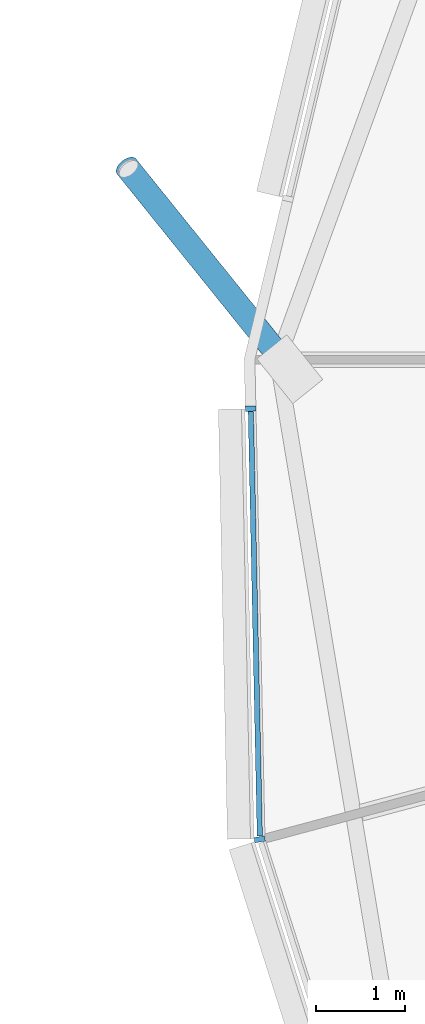
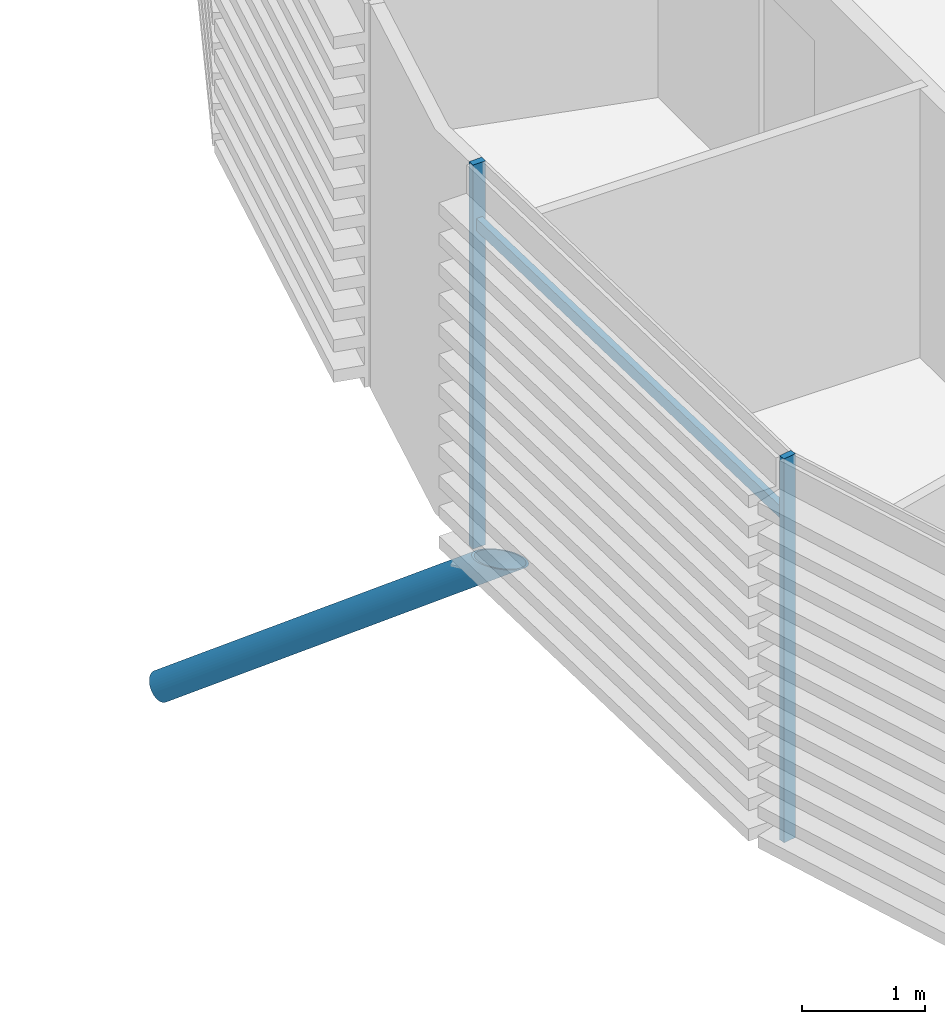
# One storey, part 8 of 36: 4 members, 1 element without a shape of its own.
"""IFC4 building model written with IfcOpenShell, lengths in metres."""

import ifcopenshell
import ifcopenshell.guid

model = None  # the IFC model being written
_history = None  # IfcOwnerHistory: only IFC2X3 demands one
_inside = {}  # id of a spatial element -> (the spatial element, [elements in it])
_under = {}  # id of a project, library or spatial element -> (it, [spatial elements below it])
_declared = {}  # id of a project -> (the project, [libraries it declares])
_typed = {}  # id of a type object -> (the type object, [elements of that type])
_made_of = {}  # id of a material, layer set ... -> (it, [elements and type objects made of it])


def new_model(schema):
    """Start an empty IFC model of exactly this schema.

    Asked for "IFC4X3", IfcOpenShell would pick the latest addendum, in which some entities
    have other attributes; the version numbers below select the first issue.
    IFC2X3 requires an IfcOwnerHistory on every rooted entity: one is made here for all.
    """
    global model, _history
    if schema == "IFC4X3":
        model = ifcopenshell.file(schema_version=(4, 3, 0, 0))
    else:
        model = ifcopenshell.file(schema=schema)
    _inside.clear()
    _under.clear()
    _declared.clear()
    _typed.clear()
    _made_of.clear()
    _history = None
    if model.schema == "IFC2X3":
        org = make("IfcOrganization", Name="unknown")
        user = make(
            "IfcPersonAndOrganization",
            ThePerson=make("IfcPerson", FamilyName="unknown"),
            TheOrganization=org,
        )
        app = make(
            "IfcApplication",
            ApplicationDeveloper=org,
            Version="unknown",
            ApplicationFullName="unknown",
            ApplicationIdentifier="unknown",
        )
        _history = make(
            "IfcOwnerHistory",
            OwningUser=user,
            OwningApplication=app,
            ChangeAction="ADDED",
            CreationDate=0,
        )
    return model


def make(cls, **values):
    """One entity of the class cls with the attributes given. An attribute that is None is left unset."""
    return model.create_entity(
        cls, **{name: value for name, value in values.items() if value is not None}
    )


def rooted(cls, **values):
    """An entity with a GlobalId (a new one), such as an element, a storey or a relation."""
    return make(cls, GlobalId=ifcopenshell.guid.new(), OwnerHistory=_history, **values)


def si_unit(unit_type, name, prefix=None):
    """IfcSIUnit, for example si_unit("LENGTHUNIT", "METRE", prefix="MILLI")."""
    return make("IfcSIUnit", UnitType=unit_type, Prefix=prefix, Name=name)


def assignment(units):
    """IfcUnitAssignment: the units of a project."""
    return None if units is None else make("IfcUnitAssignment", Units=units)


def point(xyz):
    """IfcCartesianPoint."""
    return None if xyz is None else make("IfcCartesianPoint", Coordinates=xyz)


def direction(xyz):
    """IfcDirection."""
    return None if xyz is None else make("IfcDirection", DirectionRatios=xyz)


def frame(location, z_axis=None, x_axis=None):
    """IfcAxis2Placement3D, a coordinate frame: its origin and axes. An axis left out is left unset."""
    return make(
        "IfcAxis2Placement3D",
        Location=point(location),
        Axis=direction(z_axis),
        RefDirection=direction(x_axis),
    )


def frame_2d(location, x_axis=None):
    """IfcAxis2Placement2D, a coordinate frame in the plane: its origin and x axis."""
    return make(
        "IfcAxis2Placement2D", Location=point(location), RefDirection=direction(x_axis)
    )


def origin():
    """The frame at (0, 0, 0) with its axes left unset."""
    return frame((0.0, 0.0, 0.0))


def origin_2d():
    """The frame at (0, 0) in the plane with its x axis left unset."""
    return frame_2d((0.0, 0.0))


def place(relative_to, where):
    """IfcLocalPlacement: puts the frame where relative to a parent placement (None: the world)."""
    return make(
        "IfcLocalPlacement", PlacementRelTo=relative_to, RelativePlacement=where
    )


def context(
    kind, dimensions, precision=None, world=None, true_north=None, identifier=None
):
    """IfcGeometricRepresentationContext, for example the 3D "Model" context."""
    return make(
        "IfcGeometricRepresentationContext",
        ContextIdentifier=identifier,
        ContextType=kind,
        CoordinateSpaceDimension=dimensions,
        Precision=precision,
        WorldCoordinateSystem=world,
        TrueNorth=true_north,
    )


def subcontext(parent, identifier, kind, view, scale=None):
    """IfcGeometricRepresentationSubContext, for example "Body" below "Model"."""
    return make(
        "IfcGeometricRepresentationSubContext",
        ContextIdentifier=identifier,
        ContextType=kind,
        ParentContext=parent,
        TargetScale=scale,
        TargetView=view,
    )


def project(units=None, contexts=None):
    """IfcProject with its units and contexts."""
    return rooted(
        "IfcProject",
        Name="project",
        RepresentationContexts=contexts,
        UnitsInContext=assignment(units),
    )


def spatial(cls, under=None, at=None, **own):
    """A site, building, storey or space (cls), placed at a placement, below another one or the project."""
    s = rooted(cls, ObjectPlacement=at, **own)
    if under is not None:
        _under.setdefault(under.id(), (under, []))[1].append(s)
    return s


def profile(cls, at=None, kind="AREA", **sizes):
    """A parametric profile (cls). Its sizes go by their IFC names, for example OverallWidth=200.0."""
    return make(cls, ProfileType=kind, Position=at, **sizes)


def rectangle(**sizes):
    """IfcRectangleProfileDef."""
    return profile("IfcRectangleProfileDef", **sizes)


def hollow_circle(**sizes):
    """IfcCircleHollowProfileDef."""
    return profile("IfcCircleHollowProfileDef", **sizes)


def extrude(swept, where, along, depth):
    """IfcExtrudedAreaSolid: the profile swept, set in the frame where, extruded along a direction by depth."""
    return make(
        "IfcExtrudedAreaSolid",
        SweptArea=swept,
        Position=where,
        ExtrudedDirection=direction(along),
        Depth=depth,
    )


def clip(a, b, op="DIFFERENCE"):
    """IfcBooleanClippingResult: the solid a cut by the half space b."""
    return make(
        "IfcBooleanClippingResult", Operator=op, FirstOperand=a, SecondOperand=b
    )


def halfspace(plane, agree):
    """IfcHalfSpaceSolid: all space on one side of the plane z = 0 of the frame plane."""
    return make(
        "IfcHalfSpaceSolid",
        BaseSurface=make("IfcPlane", Position=plane),
        AgreementFlag=agree,
    )


def shape(context_of_items, identifier, shape_type, items):
    """IfcShapeRepresentation: the items that make up one representation, for example the "Body"."""
    return make(
        "IfcShapeRepresentation",
        ContextOfItems=context_of_items,
        RepresentationIdentifier=identifier,
        RepresentationType=shape_type,
        Items=items,
    )


def material(Name=None, Category=None):
    """IfcMaterial."""
    return make("IfcMaterial", Name=Name, Category=Category)


def material_profile(
    of_material, cross_section, Name=None, Category=None, Priority=None
):
    """IfcMaterialProfile: a cross section and its material."""
    return make(
        "IfcMaterialProfile",
        Name=Name,
        Material=of_material,
        Profile=cross_section,
        Priority=Priority,
        Category=Category,
    )


def profile_set(profiles, Name=None, composite=None):
    """IfcMaterialProfileSet."""
    return make(
        "IfcMaterialProfileSet",
        Name=Name,
        MaterialProfiles=profiles,
        CompositeProfile=composite,
    )


def made_of(thing, what):
    """Note that an element or type object is made of a material, layer set ...; save() writes the relation."""
    if what is not None:
        _made_of.setdefault(what.id(), (what, []))[1].append(thing)
    return thing


def type_object(cls, material=None, **own):
    """A type object (cls), such as IfcWallType, which elements share."""
    return made_of(rooted(cls, **own), material)


def element(
    cls,
    number,
    at=None,
    inside=None,
    cuts=None,
    type_object=None,
    material=None,
    context=None,
    identifier="Body",
    shape_type=None,
    held_by="IfcProductDefinitionShape",
    body=None,
    shapes=None,
    **own,
):
    """One element of the class cls, such as IfcWall. Its Tag is "e" and its number.

    at: its placement. inside: the storey or other place that contains it. cuts: it is an
    opening in that element (IfcRelVoidsElement). A single representation is given by context,
    identifier, shape_type and body (its items); several are given by shapes. held_by: the class
    of the entity that holds the representations. save() writes the other relations.
    """
    e = rooted(cls, Tag="e%d" % number, ObjectPlacement=at, **own)
    if body is not None:
        shapes = [shape(context, identifier, shape_type, body)]
    if shapes is not None:
        e.Representation = make(held_by, Representations=shapes)
    if inside is not None:
        _inside.setdefault(inside.id(), (inside, []))[1].append(e)
    if cuts is not None:
        rooted(
            "IfcRelVoidsElement", RelatingBuildingElement=cuts, RelatedOpeningElement=e
        )
    if type_object is not None:
        _typed.setdefault(type_object.id(), (type_object, []))[1].append(e)
    return made_of(e, material)


def aggregate(whole, parts):
    """IfcRelAggregates: a whole, such as a stair, and the parts it consists of."""
    return rooted("IfcRelAggregates", RelatingObject=whole, RelatedObjects=parts)


def save(model, path):
    """Write the relations noted so far, then the file.

    IfcRelAggregates (storeys below a building ...), IfcRelContainedInSpatialStructure (elements
    in a storey), IfcRelDefinesByType, IfcRelAssociatesMaterial and IfcRelDeclares: one each for
    every whole, place, type object, material and project.
    """
    for whole, parts in _under.values():
        aggregate(whole, parts)
    for where, things in _inside.values():
        rooted(
            "IfcRelContainedInSpatialStructure",
            RelatedElements=things,
            RelatingStructure=where,
        )
    for kind, things in _typed.values():
        rooted("IfcRelDefinesByType", RelatedObjects=things, RelatingType=kind)
    for what, things in _made_of.values():
        rooted("IfcRelAssociatesMaterial", RelatedObjects=things, RelatingMaterial=what)
    for by, libraries in _declared.values():
        rooted("IfcRelDeclares", RelatingContext=by, RelatedDefinitions=libraries)
    model.write(path)


model = new_model("IFC4")

# Units and contexts
model_context = context("Model", 3, precision=1e-05, world=origin(), true_north=direction((0.0, 1.0)))
body_context = subcontext(model_context, "Body", "Model", "MODEL_VIEW")
ifc_project = project(units=[si_unit("LENGTHUNIT", "METRE"), si_unit("AREAUNIT", "SQUARE_METRE"), si_unit("VOLUMEUNIT", "CUBIC_METRE"), si_unit("PLANEANGLEUNIT", "RADIAN"), si_unit("MASSUNIT", "GRAM", prefix="KILO")], contexts=[model_context])

# Site, building, storey
site_placement = place(None, origin())
site = spatial("IfcSite", under=ifc_project, at=site_placement, CompositionType="ELEMENT")
building_placement = place(site_placement, origin())
building = spatial("IfcBuilding", under=site, at=building_placement, Name="Rimbun Link Towers", CompositionType="ELEMENT")
storey_placement = place(building_placement, frame((0.0, 0.0, 200.699951171875)))
storey = spatial("IfcBuildingStorey", under=building, at=storey_placement, Name="L49", CompositionType="ELEMENT", Elevation=200.699951171875)

# Curtain wall, members
ifc_material_1 = material(Name="Aluminium 6063-T6 and low-iron glass", Category="aluminium")
curtain_wall_type = type_object("IfcCurtainWallType", Name="CW1-Z3 unitised vision wall (zone 3)", PredefinedType="NOTDEFINED", material=ifc_material_1)
curtain_wall_placement = place(storey_placement, origin())
curtain_wall = element("IfcCurtainWall", 1, at=curtain_wall_placement, inside=storey, type_object=curtain_wall_type, Name="CW1 L49 T2", PredefinedType="NOTDEFINED")
ifc_material_2 = material(Name="Aluminium 6063-T6", Category="aluminium")
ifc_material_profile_1 = material_profile(ifc_material_2, rectangle(XDim=0.1201171875, YDim=0.06005859375, at=origin_2d()), Name="MULLION 60X120")
ifc_profile_set_1 = profile_set([ifc_material_profile_1], Name="Aluminium 6063-T6")
member_type_1 = type_object("IfcMemberType", Name="CW1 mullion 60X120", PredefinedType="MULLION", material=ifc_profile_set_1)
member_1_placement = place(storey_placement, frame((11.5693359375, -5.4013671875, 0.0), z_axis=(0.0, 0.0, 1.0), x_axis=(-0.9865019168, -0.16374971191, 0.0)))
member_1 = element("IfcMember", 2, at=member_1_placement, type_object=member_type_1, Name="CW1 mullion", PredefinedType="MULLION", context=body_context, shape_type="SweptSolid", body=[
    extrude(rectangle(XDim=0.1201171875, YDim=0.06005859375, at=origin_2d()), origin(), (0.0, 0.0, 1.0), 3.800048828125),
])
member_2_placement = place(storey_placement, frame((11.466552734375, -0.551025390625, 0.0), z_axis=(0.0, 0.0, 1.0), x_axis=(-0.999778097154, -0.021065527565, 0.0)))
member_2 = element("IfcMember", 3, at=member_2_placement, type_object=member_type_1, Name="CW1 mullion", PredefinedType="MULLION", context=body_context, shape_type="SweptSolid", body=[
    extrude(rectangle(XDim=0.1201171875, YDim=0.06005859375, at=origin_2d()), origin(), (0.0, 0.0, 1.0), 3.800048828125),
])
ifc_material_3 = material(Name="Aluminium 6063-T6", Category="aluminium")
ifc_material_profile_2 = material_profile(ifc_material_3, rectangle(XDim=0.06005859375, YDim=0.1201171875, at=origin_2d()), Name="TRANSOM 60X120")
ifc_profile_set_2 = profile_set([ifc_material_profile_2], Name="Aluminium 6063-T6")
member_type_2 = type_object("IfcMemberType", Name="CW1 transom 60X120", PredefinedType="USERDEFINED", material=ifc_profile_set_2)
member_3_placement = place(storey_placement, frame((11.56982421875, -5.36279296875, 3.199951171875), z_axis=(-0.021030781038, 0.999778828666, 0.0), x_axis=(-0.999778828666, -0.021030781038, 0.0)))
member_3 = element("IfcMember", 4, at=member_3_placement, type_object=member_type_2, Name="CW1 transom", ObjectType="TRANSOM", PredefinedType="USERDEFINED", context=body_context, shape_type="SweptSolid", body=[
    extrude(rectangle(XDim=0.06005859375, YDim=0.1201171875, at=origin_2d()), origin(), (0.0, 0.0, 1.0), 4.78271484375),
])
aggregate(curtain_wall, [member_1, member_2, member_3])

# Member
ifc_material_4 = material(Name="Steel S355J2H", Category="steel")
ifc_material_profile_3 = material_profile(ifc_material_4, hollow_circle(Radius=0.136474609375, WallThickness=0.012451171875, at=origin_2d()), Name="CHS 273x12.5")
ifc_profile_set_3 = profile_set([ifc_material_profile_3], Name="Steel S355J2H")
member_type_3 = type_object("IfcMemberType", Name="Floor edge link CHS 273x12.5", PredefinedType="BRACE", material=ifc_profile_set_3)
member_4_placement = place(storey_placement, frame((11.822021484375, 0.0, -0.66943359375), z_axis=(-0.519082205014, 0.644587317536, -0.561302818904), x_axis=(-0.778853476141, -0.627205917305, 0.0)))
element("IfcMember", 5, at=member_4_placement, inside=storey, type_object=member_type_3, Name="Floor edge link T2 L49 09", PredefinedType="BRACE", context=body_context, shape_type="Clipping", body=[
    clip(extrude(hollow_circle(Radius=0.136474609375, WallThickness=0.012451171875, at=origin_2d()), frame((0.0, 0.0, -0.42041015625)), (0.0, 0.0, 1.0), 3.79736328125), halfspace(frame((0.0, 0.0, -0.197998046875), z_axis=(0.0, 0.827610503492, -0.561302818904)), False)),
])

save(model, "model.ifc")
